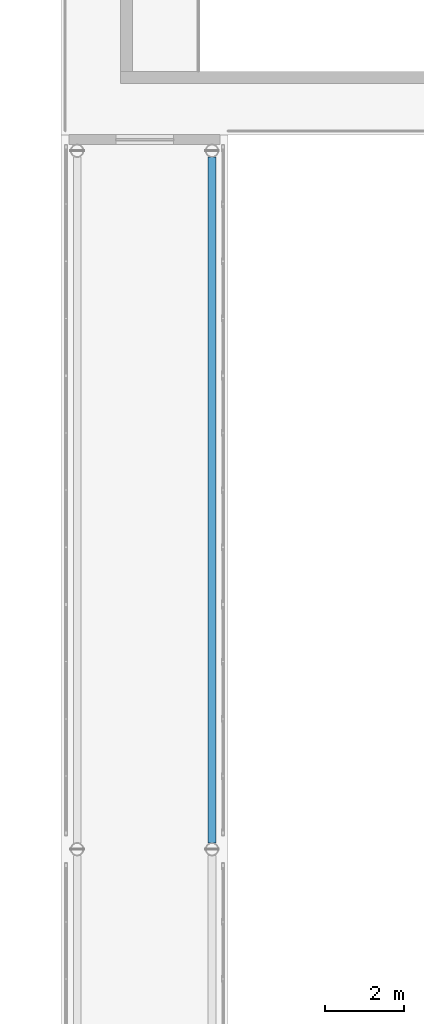
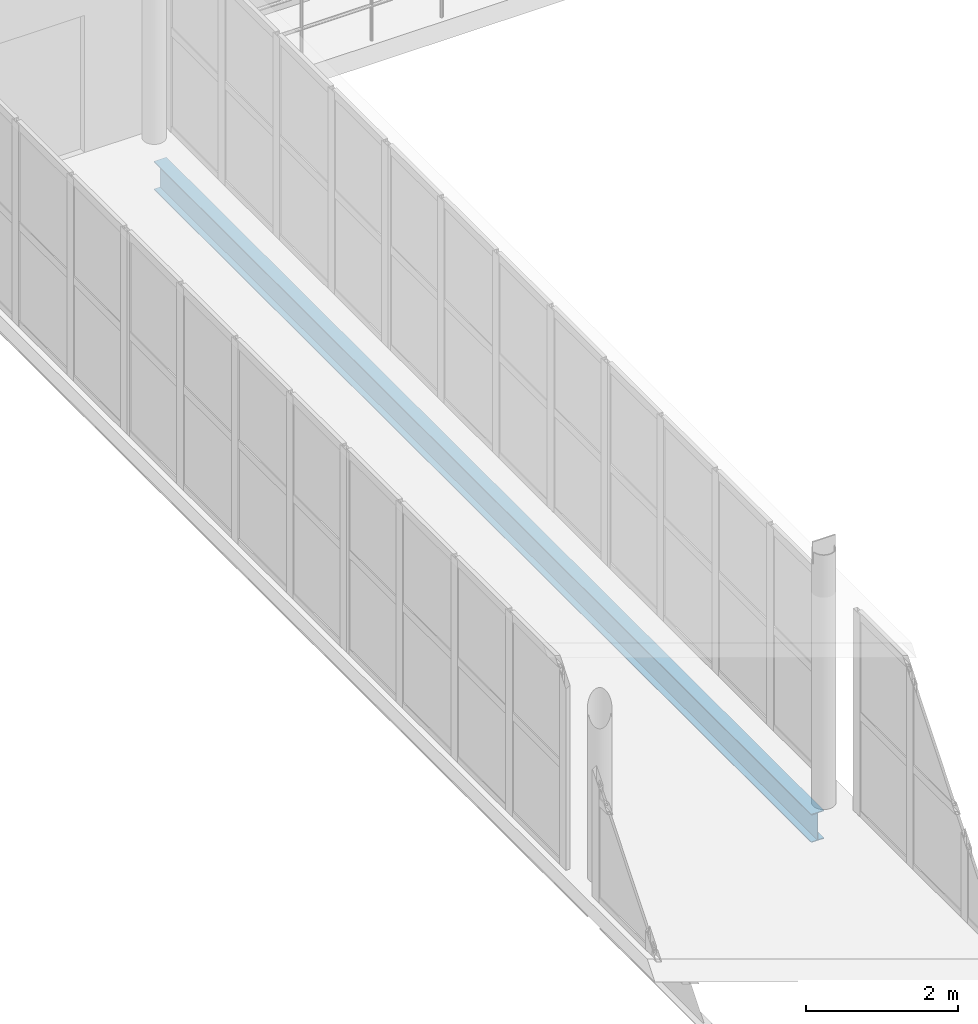
# One storey, part 33 of 52: 1 beam.
"""IFC4 building model written with IfcOpenShell, lengths in metres."""

import ifcopenshell
import ifcopenshell.guid

model = None  # the IFC model being written
_history = None  # IfcOwnerHistory: only IFC2X3 demands one
_inside = {}  # id of a spatial element -> (the spatial element, [elements in it])
_under = {}  # id of a project, library or spatial element -> (it, [spatial elements below it])
_declared = {}  # id of a project -> (the project, [libraries it declares])
_typed = {}  # id of a type object -> (the type object, [elements of that type])
_made_of = {}  # id of a material, layer set ... -> (it, [elements and type objects made of it])


def new_model(schema):
    """Start an empty IFC model of exactly this schema.

    Asked for "IFC4X3", IfcOpenShell would pick the latest addendum, in which some entities
    have other attributes; the version numbers below select the first issue.
    IFC2X3 requires an IfcOwnerHistory on every rooted entity: one is made here for all.
    """
    global model, _history
    if schema == "IFC4X3":
        model = ifcopenshell.file(schema_version=(4, 3, 0, 0))
    else:
        model = ifcopenshell.file(schema=schema)
    _inside.clear()
    _under.clear()
    _declared.clear()
    _typed.clear()
    _made_of.clear()
    _history = None
    if model.schema == "IFC2X3":
        org = make("IfcOrganization", Name="unknown")
        user = make(
            "IfcPersonAndOrganization",
            ThePerson=make("IfcPerson", FamilyName="unknown"),
            TheOrganization=org,
        )
        app = make(
            "IfcApplication",
            ApplicationDeveloper=org,
            Version="unknown",
            ApplicationFullName="unknown",
            ApplicationIdentifier="unknown",
        )
        _history = make(
            "IfcOwnerHistory",
            OwningUser=user,
            OwningApplication=app,
            ChangeAction="ADDED",
            CreationDate=0,
        )
    return model


def make(cls, **values):
    """One entity of the class cls with the attributes given. An attribute that is None is left unset."""
    return model.create_entity(
        cls, **{name: value for name, value in values.items() if value is not None}
    )


def rooted(cls, **values):
    """An entity with a GlobalId (a new one), such as an element, a storey or a relation."""
    return make(cls, GlobalId=ifcopenshell.guid.new(), OwnerHistory=_history, **values)


def si_unit(unit_type, name, prefix=None):
    """IfcSIUnit, for example si_unit("LENGTHUNIT", "METRE", prefix="MILLI")."""
    return make("IfcSIUnit", UnitType=unit_type, Prefix=prefix, Name=name)


def assignment(units):
    """IfcUnitAssignment: the units of a project."""
    return None if units is None else make("IfcUnitAssignment", Units=units)


def point(xyz):
    """IfcCartesianPoint."""
    return None if xyz is None else make("IfcCartesianPoint", Coordinates=xyz)


def direction(xyz):
    """IfcDirection."""
    return None if xyz is None else make("IfcDirection", DirectionRatios=xyz)


def frame(location, z_axis=None, x_axis=None):
    """IfcAxis2Placement3D, a coordinate frame: its origin and axes. An axis left out is left unset."""
    return make(
        "IfcAxis2Placement3D",
        Location=point(location),
        Axis=direction(z_axis),
        RefDirection=direction(x_axis),
    )


def frame_2d(location, x_axis=None):
    """IfcAxis2Placement2D, a coordinate frame in the plane: its origin and x axis."""
    return make(
        "IfcAxis2Placement2D", Location=point(location), RefDirection=direction(x_axis)
    )


def origin():
    """The frame at (0, 0, 0) with its axes left unset."""
    return frame((0.0, 0.0, 0.0))


def origin_2d():
    """The frame at (0, 0) in the plane with its x axis left unset."""
    return frame_2d((0.0, 0.0))


def place(relative_to, where):
    """IfcLocalPlacement: puts the frame where relative to a parent placement (None: the world)."""
    return make(
        "IfcLocalPlacement", PlacementRelTo=relative_to, RelativePlacement=where
    )


def context(
    kind, dimensions, precision=None, world=None, true_north=None, identifier=None
):
    """IfcGeometricRepresentationContext, for example the 3D "Model" context."""
    return make(
        "IfcGeometricRepresentationContext",
        ContextIdentifier=identifier,
        ContextType=kind,
        CoordinateSpaceDimension=dimensions,
        Precision=precision,
        WorldCoordinateSystem=world,
        TrueNorth=true_north,
    )


def subcontext(parent, identifier, kind, view, scale=None):
    """IfcGeometricRepresentationSubContext, for example "Body" below "Model"."""
    return make(
        "IfcGeometricRepresentationSubContext",
        ContextIdentifier=identifier,
        ContextType=kind,
        ParentContext=parent,
        TargetScale=scale,
        TargetView=view,
    )


def project(units=None, contexts=None):
    """IfcProject with its units and contexts."""
    return rooted(
        "IfcProject",
        Name="project",
        RepresentationContexts=contexts,
        UnitsInContext=assignment(units),
    )


def spatial(cls, under=None, at=None, **own):
    """A site, building, storey or space (cls), placed at a placement, below another one or the project."""
    s = rooted(cls, ObjectPlacement=at, **own)
    if under is not None:
        _under.setdefault(under.id(), (under, []))[1].append(s)
    return s


def profile(cls, at=None, kind="AREA", **sizes):
    """A parametric profile (cls). Its sizes go by their IFC names, for example OverallWidth=200.0."""
    return make(cls, ProfileType=kind, Position=at, **sizes)


def i_section(**sizes):
    """IfcIShapeProfileDef."""
    return profile("IfcIShapeProfileDef", **sizes)


def extrude(swept, where, along, depth):
    """IfcExtrudedAreaSolid: the profile swept, set in the frame where, extruded along a direction by depth."""
    return make(
        "IfcExtrudedAreaSolid",
        SweptArea=swept,
        Position=where,
        ExtrudedDirection=direction(along),
        Depth=depth,
    )


def shape(context_of_items, identifier, shape_type, items):
    """IfcShapeRepresentation: the items that make up one representation, for example the "Body"."""
    return make(
        "IfcShapeRepresentation",
        ContextOfItems=context_of_items,
        RepresentationIdentifier=identifier,
        RepresentationType=shape_type,
        Items=items,
    )


def material(Name=None, Category=None):
    """IfcMaterial."""
    return make("IfcMaterial", Name=Name, Category=Category)


def material_profile(
    of_material, cross_section, Name=None, Category=None, Priority=None
):
    """IfcMaterialProfile: a cross section and its material."""
    return make(
        "IfcMaterialProfile",
        Name=Name,
        Material=of_material,
        Profile=cross_section,
        Priority=Priority,
        Category=Category,
    )


def profile_set(profiles, Name=None, composite=None):
    """IfcMaterialProfileSet."""
    return make(
        "IfcMaterialProfileSet",
        Name=Name,
        MaterialProfiles=profiles,
        CompositeProfile=composite,
    )


def made_of(thing, what):
    """Note that an element or type object is made of a material, layer set ...; save() writes the relation."""
    if what is not None:
        _made_of.setdefault(what.id(), (what, []))[1].append(thing)
    return thing


def type_object(cls, material=None, **own):
    """A type object (cls), such as IfcWallType, which elements share."""
    return made_of(rooted(cls, **own), material)


def element(
    cls,
    number,
    at=None,
    inside=None,
    cuts=None,
    type_object=None,
    material=None,
    context=None,
    identifier="Body",
    shape_type=None,
    held_by="IfcProductDefinitionShape",
    body=None,
    shapes=None,
    **own,
):
    """One element of the class cls, such as IfcWall. Its Tag is "e" and its number.

    at: its placement. inside: the storey or other place that contains it. cuts: it is an
    opening in that element (IfcRelVoidsElement). A single representation is given by context,
    identifier, shape_type and body (its items); several are given by shapes. held_by: the class
    of the entity that holds the representations. save() writes the other relations.
    """
    e = rooted(cls, Tag="e%d" % number, ObjectPlacement=at, **own)
    if body is not None:
        shapes = [shape(context, identifier, shape_type, body)]
    if shapes is not None:
        e.Representation = make(held_by, Representations=shapes)
    if inside is not None:
        _inside.setdefault(inside.id(), (inside, []))[1].append(e)
    if cuts is not None:
        rooted(
            "IfcRelVoidsElement", RelatingBuildingElement=cuts, RelatedOpeningElement=e
        )
    if type_object is not None:
        _typed.setdefault(type_object.id(), (type_object, []))[1].append(e)
    return made_of(e, material)


def aggregate(whole, parts):
    """IfcRelAggregates: a whole, such as a stair, and the parts it consists of."""
    return rooted("IfcRelAggregates", RelatingObject=whole, RelatedObjects=parts)


def save(model, path):
    """Write the relations noted so far, then the file.

    IfcRelAggregates (storeys below a building ...), IfcRelContainedInSpatialStructure (elements
    in a storey), IfcRelDefinesByType, IfcRelAssociatesMaterial and IfcRelDeclares: one each for
    every whole, place, type object, material and project.
    """
    for whole, parts in _under.values():
        aggregate(whole, parts)
    for where, things in _inside.values():
        rooted(
            "IfcRelContainedInSpatialStructure",
            RelatedElements=things,
            RelatingStructure=where,
        )
    for kind, things in _typed.values():
        rooted("IfcRelDefinesByType", RelatedObjects=things, RelatingType=kind)
    for what, things in _made_of.values():
        rooted("IfcRelAssociatesMaterial", RelatedObjects=things, RelatingMaterial=what)
    for by, libraries in _declared.values():
        rooted("IfcRelDeclares", RelatingContext=by, RelatedDefinitions=libraries)
    model.write(path)


model = new_model("IFC4")

# Units and contexts
model_context = context("Model", 3, precision=1e-05, world=origin(), true_north=direction((0.0, 1.0)))
body_context = subcontext(model_context, "Body", "Model", "MODEL_VIEW")
ifc_project = project(units=[si_unit("LENGTHUNIT", "METRE"), si_unit("AREAUNIT", "SQUARE_METRE"), si_unit("VOLUMEUNIT", "CUBIC_METRE"), si_unit("PLANEANGLEUNIT", "RADIAN"), si_unit("MASSUNIT", "GRAM", prefix="KILO")], contexts=[model_context])

# Site, building, storey
site_placement = place(None, origin())
site = spatial("IfcSite", under=ifc_project, at=site_placement, CompositionType="ELEMENT")
building_placement = place(site_placement, origin())
building = spatial("IfcBuilding", under=site, at=building_placement, Name="Valcora Specialist Clinic", CompositionType="ELEMENT")
storey_placement = place(building_placement, frame((0.0, 0.0, 17.679931640625)))
storey = spatial("IfcBuildingStorey", under=building, at=storey_placement, Name="L04", CompositionType="ELEMENT", Elevation=17.679931640625)

# Beam
ifc_material = material(Name="Steel ASTM A992 Grade 50", Category="steel")
ifc_material_profile = material_profile(ifc_material, i_section(OverallWidth=0.18994140625, OverallDepth=0.45703125, WebThickness=0.009033203125, FlangeThickness=0.014892578125, at=origin_2d()), Name="ST-IR-460X190")
ifc_profile_set = profile_set([ifc_material_profile], Name="Steel ASTM A992 Grade 50")
beam_type = type_object("IfcBeamType", Name="TY-BG-IR460", PredefinedType="HOLLOWCORE", material=ifc_profile_set)
beam_placement = place(storey_placement, frame((65.0, 56.159912109375, -0.482421875), z_axis=(0.0, 1.0, 0.0), x_axis=(-1.0, 0.0, 0.0)))
element("IfcBeam", 1, at=beam_placement, inside=storey, type_object=beam_type, Name="Bridge girder BM-L04-1635", PredefinedType="HOLLOWCORE", context=body_context, shape_type="SweptSolid", body=[
    extrude(i_section(OverallWidth=0.18994140625, OverallDepth=0.45703125, WebThickness=0.009033203125, FlangeThickness=0.014892578125, at=origin_2d()), origin(), (0.0, 0.0, 1.0), 17.280029296875),
])

save(model, "model.ifc")
